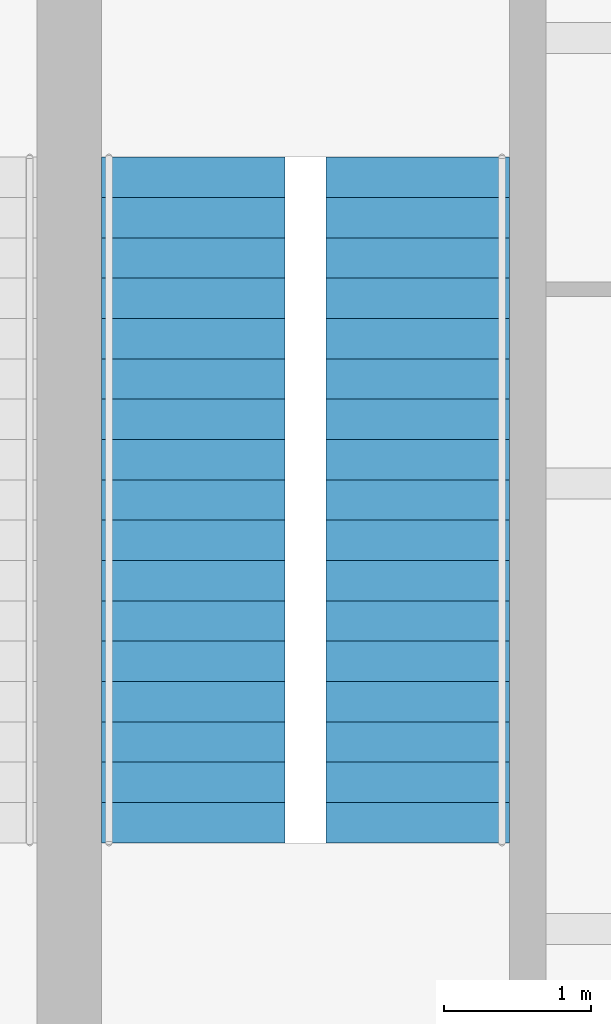
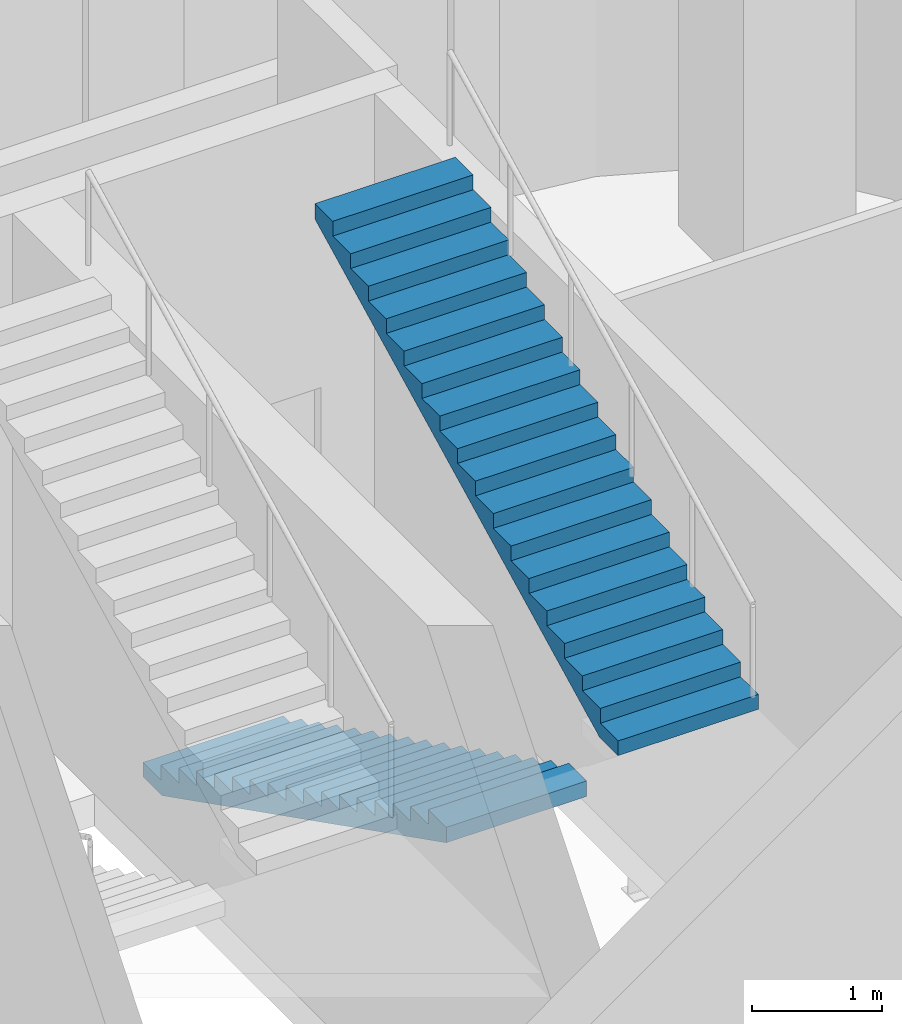
# One storey, part 15 of 17: 2 stair flights, 1 element without a shape of its own.
"""IFC4 building model written with IfcOpenShell, lengths in metres."""

from ifc_helpers import new_model, si_unit, direction, frame, origin, place, context, subcontext, project, spatial, polyline, outline, extrude, source, transform, mapped, material, type_object, element, aggregate, save


model = new_model("IFC4")

# Units and contexts
model_context = context("Model", 3, precision=1e-05, world=origin(), true_north=direction((0.0, 1.0)))
body_context = subcontext(model_context, "Body", "Model", "MODEL_VIEW")
ifc_project = project(units=[si_unit("LENGTHUNIT", "METRE"), si_unit("AREAUNIT", "SQUARE_METRE"), si_unit("VOLUMEUNIT", "CUBIC_METRE"), si_unit("PLANEANGLEUNIT", "RADIAN"), si_unit("MASSUNIT", "GRAM", prefix="KILO")], contexts=[model_context])

# Site, building, storey
site_placement = place(None, origin())
site = spatial("IfcSite", under=ifc_project, at=site_placement, CompositionType="ELEMENT")
building_placement = place(site_placement, origin())
building = spatial("IfcBuilding", under=site, at=building_placement, Name="Trellis Farm Tower", CompositionType="ELEMENT")
storey_placement = place(building_placement, frame((0.0, 0.0, 24.0)))
storey = spatial("IfcBuildingStorey", under=building, at=storey_placement, Name="L04", CompositionType="ELEMENT", Elevation=24.0)

# Stair, stair flights
ifc_material = material(Name="Concrete C50/60", Category="concrete")
stair_type = type_object("IfcStairType", Name="PODIUM EXIT STAIR 36 RISERS 139 MM 1250 WIDE", PredefinedType="HALF_TURN_STAIR", material=ifc_material)
stair_placement = place(storey_placement, origin())
stair = element("IfcStair", 1, at=stair_placement, inside=storey, type_object=stair_type, Name="Podium exit stair STP4B", PredefinedType="HALF_TURN_STAIR")
stair_flight_type = type_object("IfcStairFlightType", Name="PODIUM STAIR FLIGHT 18 RISERS 139 MM 1250 WIDE", PredefinedType="STRAIGHT", material=ifc_material)
shared_shape = source(origin(), body_context, "Body", "SweptSolid", [
    extrude(outline(polyline([(0.0, 0.0), (0.0, 0.138916015625), (0.27490234375, 0.138916015625), (0.27490234375, 0.27783203125), (0.550048828125, 0.27783203125), (0.550048828125, 0.416748046875), (0.824951171875, 0.416748046875), (0.824951171875, 0.5556640625), (1.10009765625, 0.5556640625), (1.10009765625, 0.6943359375), (1.375, 0.6943359375), (1.375, 0.833251953125), (1.64990234375, 0.833251953125), (1.64990234375, 0.97216796875), (1.925048828125, 0.97216796875), (1.925048828125, 1.111083984375), (2.199951171875, 1.111083984375), (2.199951171875, 1.25), (2.47509765625, 1.25), (2.47509765625, 1.388916015625), (2.75, 1.388916015625), (2.75, 1.52783203125), (3.02490234375, 1.52783203125), (3.02490234375, 1.666748046875), (3.300048828125, 1.666748046875), (3.300048828125, 1.8056640625), (3.574951171875, 1.8056640625), (3.574951171875, 1.9443359375), (3.85009765625, 1.9443359375), (3.85009765625, 2.083251953125), (4.125, 2.083251953125), (4.125, 2.22216796875), (4.39990234375, 2.22216796875), (4.39990234375, 2.361083984375), (4.675048828125, 2.361083984375), (4.675048828125, 2.5), (4.675048828125, 2.215576171875), (0.2880859375, 0.0), (0.0, 0.0)])), frame((0.0, 0.625, 0.0), z_axis=(0.0, -1.0, 0.0), x_axis=(1.0, 0.0, 0.0)), (0.0, 0.0, 1.0), 1.25),
])
stair_flight_1_placement = place(storey_placement, frame((23.594970703125, 26.89990234375, 0.0), z_axis=(0.0, 0.0, 1.0), x_axis=(0.0, -1.0, 0.0)))
stair_flight_1 = element("IfcStairFlight", 2, at=stair_flight_1_placement, type_object=stair_flight_type, Name="STP4B flight 1", NumberOfRisers=18, NumberOfTreads=17, PredefinedType="STRAIGHT", RiserHeight=0.138888889, TreadLength=0.275, context=body_context, shape_type="MappedRepresentation", body=[
    mapped(shared_shape, transform((0.0, 0.0, 0.0))),
])
stair_flight_2_placement = place(storey_placement, frame((25.125, 22.22509765625, 2.5), z_axis=(0.0, 0.0, 1.0), x_axis=(0.0, 1.0, 0.0)))
stair_flight_2 = element("IfcStairFlight", 3, at=stair_flight_2_placement, type_object=stair_flight_type, Name="STP4B flight 2", NumberOfRisers=18, NumberOfTreads=17, PredefinedType="STRAIGHT", RiserHeight=0.138888889, TreadLength=0.275, context=body_context, shape_type="MappedRepresentation", body=[
    mapped(shared_shape, transform((0.0, 0.0, 0.0))),
])
aggregate(stair, [stair_flight_1, stair_flight_2])

save(model, "model.ifc")
